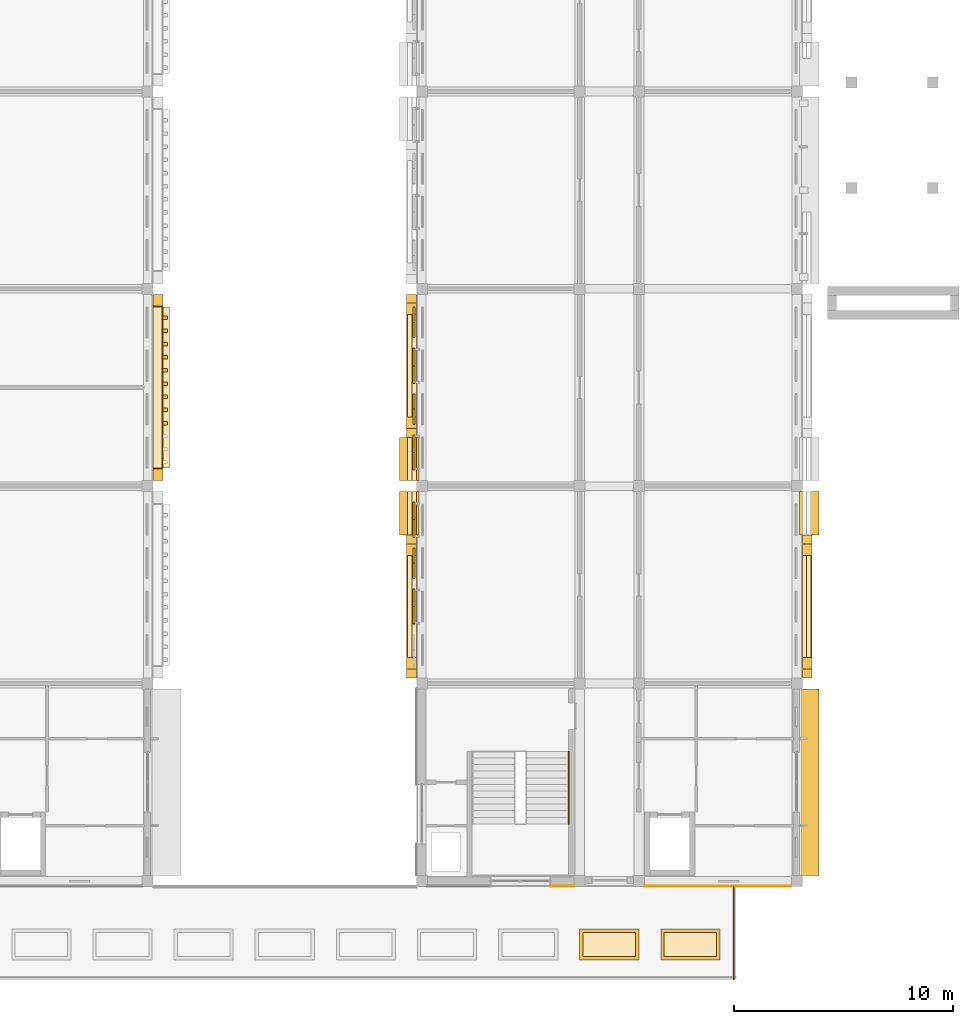
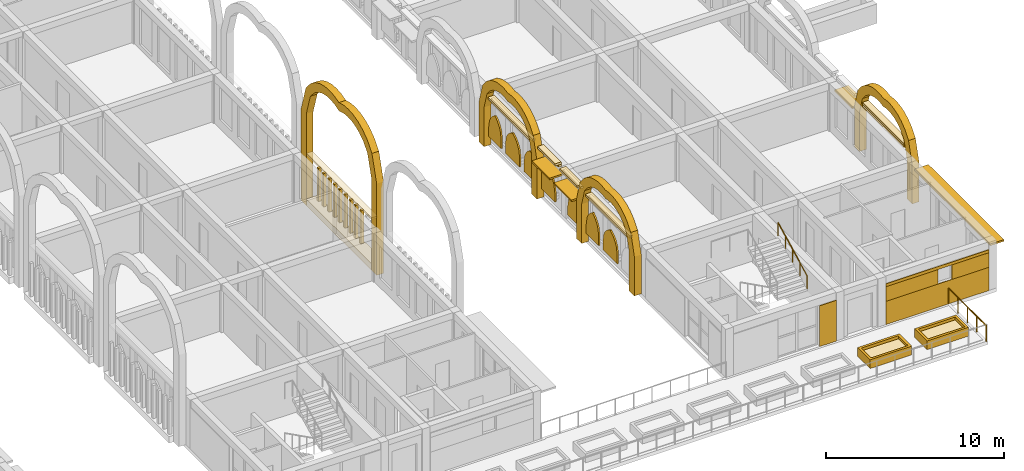
# One storey, part 80 of 82: 34 coverings, 11 shading devices, 2 railings.
"""IFC4 building model written with IfcOpenShell, lengths in metres."""

from ifc_helpers import new_model, si_unit, direction, frame, origin, origin_2d, place, context, subcontext, project, spatial, polyline, rectangle, circle, outline, extrude, material, layer, layer_set, type_object, element, save


model = new_model("IFC4")

# Units and contexts
model_context = context("Model", 3, precision=1e-05, world=origin(), true_north=direction((0.0, 1.0)))
body_context = subcontext(model_context, "Body", "Model", "MODEL_VIEW")
ifc_project = project(units=[si_unit("LENGTHUNIT", "METRE"), si_unit("AREAUNIT", "SQUARE_METRE"), si_unit("VOLUMEUNIT", "CUBIC_METRE"), si_unit("PLANEANGLEUNIT", "RADIAN"), si_unit("MASSUNIT", "GRAM", prefix="KILO")], contexts=[model_context])

# Site, building, storey
site_placement = place(None, origin())
site = spatial("IfcSite", under=ifc_project, at=site_placement, CompositionType="ELEMENT")
building_placement = place(site_placement, origin())
building = spatial("IfcBuilding", under=site, at=building_placement, Name="Elbe Cascade School", CompositionType="ELEMENT")
storey_placement = place(building_placement, frame((0.0, 0.0, 4.5)))
storey = spatial("IfcBuildingStorey", under=building, at=storey_placement, Name="L01", CompositionType="ELEMENT", Elevation=4.5)

# Railing
ifc_material_1 = material(Name="Steel S355J2H, painted", Category="steel")
railing_type_1 = type_object("IfcRailingType", Name="Bar stair handrail 900", PredefinedType="HANDRAIL", material=ifc_material_1)
railing_1_placement = place(storey_placement, frame((164.5, 8.60009765625, 1.949951171875)))
element("IfcRailing", 1, at=railing_1_placement, inside=storey, type_object=railing_type_1, Name="Stair handrail D1.S", PredefinedType="HANDRAIL", context=body_context, shape_type="SweptSolid", body=[
    extrude(circle(Radius=0.02392578125, at=origin_2d()), frame((0.0, 0.0, 0.8759765625), z_axis=(0.0, 0.894400720042, 0.447266533499), x_axis=(-1.0, 0.0, 0.0)), (0.0, 0.0, 1.0), 3.689453125),
    extrude(circle(Radius=0.02099609375, at=origin_2d()), origin(), (0.0, 0.0, 1.0), 0.851806640625),
    extrude(circle(Radius=0.02099609375, at=origin_2d()), frame((0.0, 0.824951171875, 0.41259765625)), (0.0, 0.0, 1.0), 0.851806640625),
    extrude(circle(Radius=0.02099609375, at=origin_2d()), frame((0.0, 1.64990234375, 0.8251953125)), (0.0, 0.0, 1.0), 0.851806640625),
    extrude(circle(Radius=0.02099609375, at=origin_2d()), frame((0.0, 2.474853515625, 1.237548828125)), (0.0, 0.0, 1.0), 0.851806640625),
    extrude(circle(Radius=0.02099609375, at=origin_2d()), frame((0.0, 3.2998046875, 1.650146484375)), (0.0, 0.0, 1.0), 0.851806640625),
])

# Shading devices
ifc_material_2 = material(Name="Precast concrete C30/37", Category="concrete")
ifc_layer_1 = layer(ifc_material_2, 0.1201171875)
ifc_layer_set_1 = layer_set([ifc_layer_1], Name="Precast concrete C30/37")
shading_device_type_1 = type_object("IfcShadingDeviceType", Name="Bars envelope Chhajja eave, precast concrete, 900 x 120", PredefinedType="USERDEFINED", material=ifc_layer_set_1)
for number, where, z_axis, x_axis, name in (
    (2, (157.22998046875, 22.760009765625, 2.6298828125), (0.0, 0.0, 1.0), (0.0, 1.0, 0.0), "Chhajja eave SD2 D.L01.w2b"),
    (3, (157.22998046875, 25.239990234375, 2.6298828125), (0.0, 0.0, 1.0), (0.0, 1.0, 0.0), "Chhajja eave SD2 D.L01.w3a"),
):
    element("IfcShadingDevice", number, at=place(storey_placement, frame(where, z_axis=z_axis, x_axis=x_axis)), inside=storey, type_object=shading_device_type_1, Name=name, ObjectType="CHHAJJA", PredefinedType="USERDEFINED", context=body_context, shape_type="SweptSolid", body=[
        extrude(rectangle(XDim=1.97998046875, YDim=0.89990234375, at=origin_2d()), origin(), (0.0, 0.0, 1.0), 0.1201171875),
    ])
shading_device_1_placement = place(storey_placement, frame((175.469970703125, 10.5, 2.6298828125), z_axis=(0.0, 0.0, 1.0), x_axis=(0.0, 1.0, 0.0)))
element("IfcShadingDevice", 4, at=shading_device_1_placement, inside=storey, type_object=shading_device_type_1, Name="Chhajja eave SD2 D.L01.e1", ObjectType="CHHAJJA", PredefinedType="USERDEFINED", context=body_context, shape_type="SweptSolid", body=[
    extrude(rectangle(XDim=8.5, YDim=0.89990234375, at=origin_2d()), origin(), (0.0, 0.0, 1.0), 0.1201171875),
])
shading_device_2_placement = place(storey_placement, frame((175.469970703125, 22.760009765625, 2.6298828125), z_axis=(0.0, 0.0, 1.0), x_axis=(0.0, 1.0, 0.0)))
element("IfcShadingDevice", 5, at=shading_device_2_placement, inside=storey, type_object=shading_device_type_1, Name="Chhajja eave SD2 D.L01.e2b", ObjectType="CHHAJJA", PredefinedType="USERDEFINED", context=body_context, shape_type="SweptSolid", body=[
    extrude(rectangle(XDim=1.97998046875, YDim=0.89990234375, at=origin_2d()), origin(), (0.0, 0.0, 1.0), 0.1201171875),
])
ifc_material_3 = material(Name="Precast concrete C40/50", Category="concrete")
ifc_layer_2 = layer(ifc_material_3, 0.10009765625)
ifc_layer_set_2 = layer_set([ifc_layer_2], Name="Precast concrete C40/50")
shading_device_type_2 = type_object("IfcShadingDeviceType", Name="Bars envelope Jali screen 1400 x 1840, pointed arch rise 1200, pierced precast concrete", PredefinedType="USERDEFINED", material=ifc_layer_set_2)
for number, where, z_axis, x_axis, name in (
    (6, (157.39990234375, 19.7900390625, 1.239990234375), (-1.0, 0.0, 0.0), (0.0, 0.17792317593, 0.984044380842), "Jali screen SD6 D.L01.w2.3"),
    (7, (157.39990234375, 26.81005859375, 1.239990234375), (-1.0, 0.0, 0.0), (0.0, 0.17792317593, 0.984044380842), "Jali screen SD6 D.L01.w3.2"),
):
    element("IfcShadingDevice", number, at=place(storey_placement, frame(where, z_axis=z_axis, x_axis=x_axis)), inside=storey, type_object=shading_device_type_2, Name=name, ObjectType="JALI", PredefinedType="USERDEFINED", context=body_context, shape_type="SweptSolid", body=[
        extrude(outline(polyline([(0.0, 0.0), (0.49123641871346896, 0.0), (0.6925403070313034, 0.052670243586035656), (0.8431090177286255, 0.11426571806572286), (0.9655690388364628, 0.18094347076411482), (1.0690931266165173, 0.25129309242718334), (1.1586395539315395, 0.3239218888517511), (1.2366976494339414, 0.39887596770441547), (1.305342743464475, 0.47528389408648153), (1.2677994546013998, 0.5708915381836547), (1.2209300408172035, 0.6684335202305626), (1.1624854186696398, 0.7678202942852341), (1.0901500126077905, 0.8699667335217378), (0.9987917966674117, 0.9753045513025852), (0.879324891137548, 1.0857246473021371), (0.7092096845379191, 1.2055504646156736), (0.24907507099190854, 1.377566035094913), (-0.38060762485458033, 1.491417754848975), (-0.6296826958464888, 0.11385171975406214), (0.0, 0.0)])), origin(), (0.0, 0.0, -1.0), 0.10009765625),
    ])
shading_device_3_placement = place(storey_placement, frame((157.39990234375, 30.77001953125, 1.239990234375), z_axis=(-1.0, 0.0, 0.0), x_axis=(0.0, 0.17792317593, 0.984044380842)))
element("IfcShadingDevice", 8, at=shading_device_3_placement, inside=storey, type_object=shading_device_type_2, Name="Jali screen SD6 D.L01.w3.4", ObjectType="JALI", PredefinedType="USERDEFINED", context=body_context, shape_type="SweptSolid", body=[
    extrude(outline(polyline([(0.0, 0.0), (0.49123641871346896, 0.0), (0.6925403070313034, 0.052670243586035656), (0.8431090177286255, 0.11426571806572286), (0.9656124771118364, 0.18118371597428135), (1.0690931266165173, 0.25129309242718334), (1.1586395539315395, 0.3239218888517511), (1.2366976494339414, 0.39887596770441547), (1.305342743464475, 0.47528389408648153), (1.2678428928767733, 0.5711317833938212), (1.2209300408172035, 0.6684335202305626), (1.1624854186696398, 0.7678202942852341), (1.0901500126077905, 0.8699667335217378), (0.9987917966674117, 0.9753045513025852), (0.8793683294129215, 1.0859648925123038), (0.7092096845379191, 1.2055504646156736), (0.24907507099190854, 1.377566035094913), (-0.38060762485458033, 1.491417754848975), (-0.6296826958464888, 0.11385171975406214), (0.0, 0.0)])), origin(), (0.0, 0.0, -1.0), 0.10009765625),
])
ifc_material_4 = material(Name="Precast concrete C40/50", Category="concrete")
ifc_layer_3 = layer(ifc_material_4, 0.10009765625)
ifc_layer_set_3 = layer_set([ifc_layer_3], Name="Precast concrete C40/50")
shading_device_type_3 = type_object("IfcShadingDeviceType", Name="Bars envelope Jali screen 1600 x 1840, pointed arch rise 1200, pierced precast concrete", PredefinedType="USERDEFINED", material=ifc_layer_set_3)
shading_device_4_placement = place(storey_placement, frame((157.39990234375, 17.7099609375, 1.239990234375), z_axis=(-1.0, 0.0, 0.0), x_axis=(0.0, 0.196300278283, 0.98054382908)))
element("IfcShadingDevice", 9, at=shading_device_4_placement, inside=storey, type_object=shading_device_type_3, Name="Jali screen SD7 D.L01.w2.2", ObjectType="JALI", PredefinedType="USERDEFINED", context=body_context, shape_type="SweptSolid", body=[
    extrude(outline(polyline([(0.0, 0.0), (0.509921112317134, 0.0), (0.7186409460062186, 0.06005009918221829), (0.8735458233318658, 0.1311226852889124), (0.9982874871653163, 0.20823380534668107), (1.102872417131342, 0.2891312241218946), (1.1919448840573539, 0.37338315020117196), (1.268281725197354, 0.45993570394643946), (1.3336545243794973, 0.5489321924158467), (1.3075801207519657, 0.6562359822289878), (1.270445825421322, 0.7655049255997259), (1.220671754049922, 0.877553277802997), (1.155289369893253, 0.9924773561437888), (1.069846101614414, 1.1116665143685687), (0.9542396198433787, 1.2368942065444228), (0.7847223319636507, 1.37266560447821), (0.31409961520112845, 1.5689658827607584), (-0.3133431035532121, 1.6945769739176333), (-0.6274427187543405, 0.12561109115687483), (0.0, 0.0)])), origin(), (0.0, 0.0, -1.0), 0.10009765625),
])
shading_device_5_placement = place(storey_placement, frame((157.39990234375, 21.669921875, 1.239990234375), z_axis=(-1.0, 0.0, 0.0), x_axis=(0.0, 0.196300278283, 0.98054382908)))
element("IfcShadingDevice", 10, at=shading_device_5_placement, inside=storey, type_object=shading_device_type_3, Name="Jali screen SD7 D.L01.w2.4", ObjectType="JALI", PredefinedType="USERDEFINED", context=body_context, shape_type="SweptSolid", body=[
    extrude(outline(polyline([(0.0, 0.0), (0.509921112317134, 0.0), (0.7186888708788461, 0.0602894897654897), (0.8735458233318658, 0.1311226852889124), (0.9982874871653163, 0.20823380534668107), (1.102872417131342, 0.2891312241218946), (1.1919448840573539, 0.37338315020117196), (1.2683296500699814, 0.46017509452971084), (1.3336545243794973, 0.5489321924158467), (1.3075801207519657, 0.6562359822289878), (1.270445825421322, 0.7655049255997259), (1.220671754049922, 0.877553277802997), (1.1553372947658807, 0.9927167467270602), (1.069846101614414, 1.1116665143685687), (0.9542396198433787, 1.2368942065444228), (0.7847223319636507, 1.37266560447821), (0.31409961520112845, 1.5689658827607584), (-0.3133431035532121, 1.6945769739176333), (-0.6274427187543405, 0.12561109115687483), (0.0, 0.0)])), origin(), (0.0, 0.0, -1.0), 0.10009765625),
])
shading_device_6_placement = place(storey_placement, frame((157.39990234375, 24.72998046875, 1.239990234375), z_axis=(-1.0, 0.0, 0.0), x_axis=(0.0, 0.196300278283, 0.98054382908)))
element("IfcShadingDevice", 11, at=shading_device_6_placement, inside=storey, type_object=shading_device_type_3, Name="Jali screen SD7 D.L01.w3.1", ObjectType="JALI", PredefinedType="USERDEFINED", context=body_context, shape_type="SweptSolid", body=[
    extrude(outline(polyline([(0.0, 0.0), (0.509921112317134, 0.0), (0.7186409460062186, 0.06005009918221829), (0.8735458233318658, 0.1311226852889124), (0.9982395622926888, 0.20799441476340969), (1.102872417131342, 0.2891312241218946), (1.1919448840573539, 0.37338315020117196), (1.268281725197354, 0.45993570394643946), (1.3336545243794973, 0.5489321924158467), (1.3075321958793382, 0.6559965916457164), (1.270445825421322, 0.7655049255997259), (1.220671754049922, 0.877553277802997), (1.155289369893253, 0.9924773561437888), (1.069846101614414, 1.1116665143685687), (0.9541916949707512, 1.2366548159611515), (0.7847223319636507, 1.37266560447821), (0.31409961520112845, 1.5689658827607584), (-0.3133431035532121, 1.6945769739176333), (-0.6274427187543405, 0.12561109115687483), (0.0, 0.0)])), origin(), (0.0, 0.0, -1.0), 0.10009765625),
])
shading_device_7_placement = place(storey_placement, frame((157.39990234375, 28.68994140625, 1.239990234375), z_axis=(-1.0, 0.0, 0.0), x_axis=(0.0, 0.196300278283, 0.98054382908)))
element("IfcShadingDevice", 12, at=shading_device_7_placement, inside=storey, type_object=shading_device_type_3, Name="Jali screen SD7 D.L01.w3.3", ObjectType="JALI", PredefinedType="USERDEFINED", context=body_context, shape_type="SweptSolid", body=[
    extrude(outline(polyline([(0.0, 0.0), (0.509921112317134, 0.0), (0.7186409460062186, 0.06005009918221829), (0.8735458233318658, 0.1311226852889124), (0.9982874871653163, 0.20823380534668107), (1.102872417131342, 0.2891312241218946), (1.1919448840573539, 0.37338315020117196), (1.268281725197354, 0.45993570394643946), (1.3336545243794973, 0.5489321924158467), (1.3075801207519657, 0.6562359822289878), (1.270445825421322, 0.7655049255997259), (1.220671754049922, 0.877553277802997), (1.155289369893253, 0.9924773561437888), (1.069846101614414, 1.1116665143685687), (0.9542396198433787, 1.2368942065444228), (0.7847223319636507, 1.37266560447821), (0.31409961520112845, 1.5689658827607584), (-0.3133431035532121, 1.6945769739176333), (-0.6274427187543405, 0.12561109115687483), (0.0, 0.0)])), origin(), (0.0, 0.0, -1.0), 0.10009765625),
])

# Coverings
ifc_material_5 = material(Name="Sandstone - red", Category="masonry")
covering_type_1 = type_object("IfcCoveringType", Name="Bars envelope Sandstone arch frame single, 8500 wide, 450 deep", PredefinedType="CLADDING", material=ifc_material_5)
covering_1_placement = place(storey_placement, frame((146.0, 24.830078125, 0.0), z_axis=(1.0, 0.0, 0.0), x_axis=(0.0, 0.0, 1.0)))
element("IfcCovering", 13, at=covering_1_placement, inside=storey, type_object=covering_type_1, Name="Arch frame CV52 C.L01.e3", PredefinedType="CLADDING", context=body_context, shape_type="SweptSolid", body=[
    extrude(outline(polyline([(0.0, 0.0), (6.300048828125, 0.0), (7.784912109375, -0.458740234375), (8.29736328125, -0.91748046875), (8.613525390625, -1.376220703125), (8.80908203125, -1.8349609375), (8.910888671875, -2.293701171875), (8.93017578125, -2.75244140625), (8.86865234375, -3.211181640625), (8.719970703125, -3.669921875), (8.86865234375, -4.128662109375), (8.93017578125, -4.58740234375), (8.910888671875, -5.046142578125), (8.80908203125, -5.5048828125), (8.613525390625, -5.963623046875), (8.29736328125, -6.42236328125), (7.784912109375, -6.881103515625), (6.300048828125, -7.33984375), (0.0, -7.33984375), (0.0, -7.919921875), (6.300048828125, -7.919921875), (8.060791015625, -7.388671875), (8.67431640625, -6.857421875), (9.058349609375, -6.326171875), (9.302490234375, -5.794921875), (9.439697265625, -5.263671875), (9.48388671875, -4.732421875), (9.438720703125, -4.201171875), (9.300048828125, -3.669921875), (9.438720703125, -3.138671875), (9.48388671875, -2.607421875), (9.439697265625, -2.076171875), (9.302490234375, -1.544921875), (9.058349609375, -1.013671875), (8.67431640625, -0.482421875), (8.060791015625, 0.048828125), (6.300048828125, 0.580078125), (0.0, 0.580078125), (0.0, 0.0)])), origin(), (0.0, 0.0, -1.0), 0.449951171875),
])
ifc_material_6 = material(Name="Sandstone - red", Category="masonry")
covering_type_2 = type_object("IfcCoveringType", Name="Bars envelope Sandstone arch frame triple, 6520 wide, 450 deep", PredefinedType="CLADDING", material=ifc_material_6)
covering_2_placement = place(storey_placement, frame((157.10009765625, 15.25, 0.0), z_axis=(-1.0, 0.0, 0.0), x_axis=(0.0, 0.0, 1.0)))
element("IfcCovering", 14, at=covering_2_placement, inside=storey, type_object=covering_type_2, Name="Arch frame CV70 D.L01.w2", PredefinedType="CLADDING", context=body_context, shape_type="SweptSolid", body=[
    extrude(outline(polyline([(0.0, 0.0), (2.699951171875, 0.0), (4.11669921875, 0.407470703125), (4.618896484375, 0.81494140625), (4.94189453125, 1.222412109375), (5.156982421875, 1.6298828125), (5.29150390625, 2.03759765625), (5.357666015625, 2.445068359375), (5.3603515625, 2.8525390625), (5.300048828125, 3.260009765625), (5.3603515625, 3.66748046875), (5.357666015625, 4.074951171875), (5.29150390625, 4.482421875), (5.156982421875, 4.889892578125), (4.94189453125, 5.297607421875), (4.618896484375, 5.705078125), (4.11669921875, 6.112548828125), (2.699951171875, 6.52001953125), (0.0, 6.52001953125), (0.0, 5.93994140625), (2.699951171875, 5.93994140625), (3.83837890625, 5.60498046875), (4.23828125, 5.27001953125), (4.49267578125, 4.93505859375), (4.658447265625, 4.60009765625), (4.757568359375, 4.264892578125), (4.79931640625, 3.929931640625), (4.787109375, 3.594970703125), (4.719970703125, 3.260009765625), (4.787109375, 2.925048828125), (4.79931640625, 2.590087890625), (4.757568359375, 2.2548828125), (4.658447265625, 1.919921875), (4.49267578125, 1.5849609375), (4.23828125, 1.25), (3.83837890625, 0.9150390625), (2.699951171875, 0.580078125), (0.0, 0.580078125), (0.0, 0.0)])), origin(), (0.0, 0.0, -1.0), 0.449951171875),
])
covering_3_placement = place(storey_placement, frame((157.10009765625, 26.22998046875, 0.0), z_axis=(-1.0, 0.0, 0.0), x_axis=(0.0, 0.0, 1.0)))
element("IfcCovering", 15, at=covering_3_placement, inside=storey, type_object=covering_type_2, Name="Arch frame CV70 D.L01.w3", PredefinedType="CLADDING", context=body_context, shape_type="SweptSolid", body=[
    extrude(outline(polyline([(0.0, 0.0), (2.699951171875, 0.0), (4.11669921875, 0.407470703125), (4.618896484375, 0.81494140625), (4.94189453125, 1.222412109375), (5.156982421875, 1.630126953125), (5.29150390625, 2.03759765625), (5.357666015625, 2.445068359375), (5.3603515625, 2.8525390625), (5.300048828125, 3.260009765625), (5.3603515625, 3.66748046875), (5.357666015625, 4.074951171875), (5.29150390625, 4.482421875), (5.156982421875, 4.89013671875), (4.94189453125, 5.297607421875), (4.618896484375, 5.705078125), (4.11669921875, 6.112548828125), (2.699951171875, 6.52001953125), (0.0, 6.52001953125), (0.0, 5.93994140625), (2.699951171875, 5.93994140625), (3.83837890625, 5.60498046875), (4.23828125, 5.27001953125), (4.49267578125, 4.93505859375), (4.658447265625, 4.60009765625), (4.757568359375, 4.26513671875), (4.79931640625, 3.929931640625), (4.787109375, 3.594970703125), (4.719970703125, 3.260009765625), (4.787109375, 2.925048828125), (4.79931640625, 2.590087890625), (4.757568359375, 2.255126953125), (4.658447265625, 1.919921875), (4.49267578125, 1.5849609375), (4.23828125, 1.25), (3.83837890625, 0.9150390625), (2.699951171875, 0.580078125), (0.0, 0.580078125), (0.0, 0.0)])), origin(), (0.0, 0.0, -1.0), 0.449951171875),
])
covering_4_placement = place(storey_placement, frame((175.60009765625, 15.830078125, 0.0), z_axis=(1.0, 0.0, 0.0), x_axis=(0.0, 0.0, 1.0)))
element("IfcCovering", 16, at=covering_4_placement, inside=storey, type_object=covering_type_2, Name="Arch frame CV70 D.L01.e2", PredefinedType="CLADDING", context=body_context, shape_type="SweptSolid", body=[
    extrude(outline(polyline([(0.0, 0.0), (2.699951171875, 0.0), (3.83837890625, -0.3349609375), (4.23828125, -0.669921875), (4.49267578125, -1.0048828125), (4.658447265625, -1.33984375), (4.757568359375, -1.6748046875), (4.79931640625, -2.010009765625), (4.787109375, -2.344970703125), (4.719970703125, -2.679931640625), (4.787109375, -3.014892578125), (4.79931640625, -3.349853515625), (4.757568359375, -3.684814453125), (4.658447265625, -4.02001953125), (4.49267578125, -4.35498046875), (4.23828125, -4.68994140625), (3.83837890625, -5.02490234375), (2.699951171875, -5.35986328125), (0.0, -5.35986328125), (0.0, -5.93994140625), (2.699951171875, -5.93994140625), (4.11669921875, -5.532470703125), (4.618896484375, -5.125), (4.94189453125, -4.717529296875), (5.156982421875, -4.309814453125), (5.29150390625, -3.90234375), (5.357666015625, -3.494873046875), (5.3603515625, -3.08740234375), (5.300048828125, -2.679931640625), (5.3603515625, -2.2724609375), (5.357666015625, -1.864990234375), (5.29150390625, -1.45751953125), (5.156982421875, -1.0498046875), (4.94189453125, -0.642333984375), (4.618896484375, -0.23486328125), (4.11669921875, 0.172607421875), (2.699951171875, 0.580078125), (0.0, 0.580078125), (0.0, 0.0)])), origin(), (0.0, 0.0, -1.0), 0.449951171875),
])
ifc_material_7 = material(Name="Sandstone - red", Category="masonry")
ifc_layer_4 = layer(ifc_material_7, 0.0400390625)
ifc_layer_set_4 = layer_set([ifc_layer_4], Name="Sandstone - red")
covering_type_3 = type_object("IfcCoveringType", Name="Bars envelope Sandstone cladding, red, 40 mm", PredefinedType="CLADDING", material=ifc_layer_set_4)
covering_5_placement = place(storey_placement, frame((164.199951171875, 5.760009765625, 0.0), z_axis=(0.0, 0.0, 1.0), x_axis=(1.0, 0.0, 0.0)))
element("IfcCovering", 17, at=covering_5_placement, inside=storey, type_object=covering_type_3, Name="Sandstone cladding CV48 D.L01.s.1b.1", PredefinedType="CLADDING", context=body_context, shape_type="SweptSolid", body=[
    extrude(rectangle(XDim=1.10009765625, YDim=0.0400390625, at=origin_2d()), origin(), (0.0, 0.0, 1.0), 2.800048828125),
])
covering_6_placement = place(storey_placement, frame((171.300048828125, 5.760009765625, 0.0), z_axis=(0.0, 0.0, 1.0), x_axis=(1.0, 0.0, 0.0)))
element("IfcCovering", 18, at=covering_6_placement, inside=storey, type_object=covering_type_3, Name="Sandstone cladding CV48 D.L01.s.3.1", PredefinedType="CLADDING", context=body_context, shape_type="SweptSolid", body=[
    extrude(rectangle(XDim=6.699951171875, YDim=0.0400390625, at=origin_2d()), origin(), (0.0, 0.0, 1.0), 1.60009765625),
])
covering_7_placement = place(storey_placement, frame((169.64990234375, 5.760009765625, 1.60009765625), z_axis=(0.0, 0.0, 1.0), x_axis=(1.0, 0.0, 0.0)))
element("IfcCovering", 19, at=covering_7_placement, inside=storey, type_object=covering_type_3, Name="Sandstone cladding CV48 D.L01.s.3.2", PredefinedType="CLADDING", context=body_context, shape_type="SweptSolid", body=[
    extrude(rectangle(XDim=3.39990234375, YDim=0.0400390625, at=origin_2d()), origin(), (0.0, 0.0, 1.0), 1.0),
])
covering_8_placement = place(storey_placement, frame((173.449951171875, 5.760009765625, 1.60009765625), z_axis=(0.0, 0.0, 1.0), x_axis=(1.0, 0.0, 0.0)))
element("IfcCovering", 20, at=covering_8_placement, inside=storey, type_object=covering_type_3, Name="Sandstone cladding CV48 D.L01.s.3.3", PredefinedType="CLADDING", context=body_context, shape_type="SweptSolid", body=[
    extrude(rectangle(XDim=2.39990234375, YDim=0.0400390625, at=origin_2d()), origin(), (0.0, 0.0, 1.0), 1.0),
])
covering_9_placement = place(storey_placement, frame((171.300048828125, 5.760009765625, 2.60009765625), z_axis=(0.0, 0.0, 1.0), x_axis=(1.0, 0.0, 0.0)))
element("IfcCovering", 21, at=covering_9_placement, inside=storey, type_object=covering_type_3, Name="Sandstone cladding CV48 D.L01.s.3.4", PredefinedType="CLADDING", context=body_context, shape_type="SweptSolid", body=[
    extrude(rectangle(XDim=6.699951171875, YDim=0.0400390625, at=origin_2d()), origin(), (0.0, 0.0, 1.0), 0.199951171875),
])
ifc_material_8 = material(Name="Sandstone - red", Category="masonry")
covering_type_4 = type_object("IfcCoveringType", Name="Bars envelope Sandstone cornice lower step, 200 deep", PredefinedType="CLADDING", material=ifc_material_8)
covering_10_placement = place(storey_placement, frame((157.449951171875, 18.510009765625, 3.300048828125), z_axis=(0.0, 0.0, 1.0), x_axis=(0.0, 1.0, 0.0)))
element("IfcCovering", 22, at=covering_10_placement, inside=storey, type_object=covering_type_4, Name="Cornice CV71 D.L01.w1.1a", PredefinedType="CLADDING", context=body_context, shape_type="SweptSolid", body=[
    extrude(rectangle(XDim=4.659912109375, YDim=0.199951171875, at=origin_2d()), origin(), (0.0, 0.0, 1.0), 0.14990234375),
])
for number, where, z_axis, x_axis, name in (
    (23, (157.449951171875, 22.760009765625, 3.300048828125), (0.0, 0.0, 1.0), (0.0, 1.0, 0.0), "Cornice CV71 D.L01.w1.2a"),
    (24, (157.449951171875, 25.239990234375, 3.300048828125), (0.0, 0.0, 1.0), (0.0, 1.0, 0.0), "Cornice CV71 D.L01.w2.1a"),
):
    element("IfcCovering", number, at=place(storey_placement, frame(where, z_axis=z_axis, x_axis=x_axis)), inside=storey, type_object=covering_type_4, Name=name, PredefinedType="CLADDING", context=body_context, shape_type="SweptSolid", body=[
        extrude(rectangle(XDim=1.97998046875, YDim=0.199951171875, at=origin_2d()), origin(), (0.0, 0.0, 1.0), 0.14990234375),
    ])
for number, where, z_axis, x_axis, name in (
    (25, (157.449951171875, 29.489990234375, 3.300048828125), (0.0, 0.0, 1.0), (0.0, 1.0, 0.0), "Cornice CV71 D.L01.w2.2a"),
    (26, (175.25, 18.510009765625, 3.300048828125), (0.0, 0.0, 1.0), (0.0, 1.0, 0.0), "Cornice CV71 D.L01.e1.1a"),
):
    element("IfcCovering", number, at=place(storey_placement, frame(where, z_axis=z_axis, x_axis=x_axis)), inside=storey, type_object=covering_type_4, Name=name, PredefinedType="CLADDING", context=body_context, shape_type="SweptSolid", body=[
        extrude(rectangle(XDim=4.659912109375, YDim=0.199951171875, at=origin_2d()), origin(), (0.0, 0.0, 1.0), 0.14990234375),
    ])
ifc_material_9 = material(Name="Sandstone - red", Category="masonry")
covering_type_5 = type_object("IfcCoveringType", Name="Bars envelope Sandstone cornice upper step, 400 deep", PredefinedType="CLADDING", material=ifc_material_9)
covering_11_placement = place(storey_placement, frame((157.35009765625, 18.510009765625, 3.449951171875), z_axis=(0.0, 0.0, 1.0), x_axis=(0.0, 1.0, 0.0)))
element("IfcCovering", 27, at=covering_11_placement, inside=storey, type_object=covering_type_5, Name="Cornice CV72 D.L01.w1.1b", PredefinedType="CLADDING", context=body_context, shape_type="SweptSolid", body=[
    extrude(rectangle(XDim=4.659912109375, YDim=0.39990234375, at=origin_2d()), origin(), (0.0, 0.0, 1.0), 0.14990234375),
])
for number, where, z_axis, x_axis, name in (
    (28, (157.35009765625, 22.760009765625, 3.449951171875), (0.0, 0.0, 1.0), (0.0, 1.0, 0.0), "Cornice CV72 D.L01.w1.2b"),
    (29, (157.35009765625, 25.239990234375, 3.449951171875), (0.0, 0.0, 1.0), (0.0, 1.0, 0.0), "Cornice CV72 D.L01.w2.1b"),
):
    element("IfcCovering", number, at=place(storey_placement, frame(where, z_axis=z_axis, x_axis=x_axis)), inside=storey, type_object=covering_type_5, Name=name, PredefinedType="CLADDING", context=body_context, shape_type="SweptSolid", body=[
        extrude(rectangle(XDim=1.97998046875, YDim=0.39990234375, at=origin_2d()), origin(), (0.0, 0.0, 1.0), 0.14990234375),
    ])
for number, where, z_axis, x_axis, name in (
    (30, (157.35009765625, 29.489990234375, 3.449951171875), (0.0, 0.0, 1.0), (0.0, 1.0, 0.0), "Cornice CV72 D.L01.w2.2b"),
    (31, (175.35009765625, 18.510009765625, 3.449951171875), (0.0, 0.0, 1.0), (0.0, 1.0, 0.0), "Cornice CV72 D.L01.e1.1b"),
):
    element("IfcCovering", number, at=place(storey_placement, frame(where, z_axis=z_axis, x_axis=x_axis)), inside=storey, type_object=covering_type_5, Name=name, PredefinedType="CLADDING", context=body_context, shape_type="SweptSolid", body=[
        extrude(rectangle(XDim=4.659912109375, YDim=0.39990234375, at=origin_2d()), origin(), (0.0, 0.0, 1.0), 0.14990234375),
    ])
ifc_material_10 = material(Name="Sandstone - red", Category="masonry")
covering_type_6 = type_object("IfcCoveringType", Name="Bars envelope Sandstone floor ledge, 400 deep", PredefinedType="CLADDING", material=ifc_material_10)
covering_12_placement = place(storey_placement, frame((145.75, 28.5, 3.4599609375), z_axis=(0.0, 0.0, 1.0), x_axis=(0.0, 1.0, 0.0)))
element("IfcCovering", 32, at=covering_12_placement, inside=storey, type_object=covering_type_6, Name="Floor ledge CV64 C.L01.e2.1", PredefinedType="CLADDING", context=body_context, shape_type="SweptSolid", body=[
    extrude(rectangle(XDim=7.340087890625, YDim=0.39990234375, at=origin_2d()), origin(), (0.0, 0.0, 1.0), 0.139892578125),
])
ifc_material_11 = material(Name="Sandstone - red", Category="masonry")
covering_type_7 = type_object("IfcCoveringType", Name="Bars envelope Sandstone planter kerb, 750 deep", PredefinedType="CLADDING", material=ifc_material_11)
covering_13_placement = place(storey_placement, frame((145.925048828125, 28.5, 0.0), z_axis=(0.0, 0.0, 1.0), x_axis=(0.0, 1.0, 0.0)))
element("IfcCovering", 33, at=covering_13_placement, inside=storey, type_object=covering_type_7, Name="Planter kerb CV65 C.L01.e2.1", PredefinedType="CLADDING", context=body_context, shape_type="SweptSolid", body=[
    extrude(rectangle(XDim=7.340087890625, YDim=0.75, at=origin_2d()), origin(), (0.0, 0.0, 1.0), 0.449951171875),
])
ifc_material_12 = material(Name="Sandstone - red", Category="masonry")
covering_type_8 = type_object("IfcCoveringType", Name="Bars envelope Sandstone slat, 160 wide, 200 deep", PredefinedType="CLADDING", material=ifc_material_12)
for number, where, z_axis, x_axis, name in (
    (34, (146.10009765625, 26.8798828125, 0.4501953125), (0.0, 0.0, 1.0), (0.0, 1.0, 0.0), "Slat CV66 C.L01.e2.1.4"),
    (35, (146.10009765625, 27.47998046875, 0.4501953125), (0.0, 0.0, 1.0), (0.0, 1.0, 0.0), "Slat CV66 C.L01.e2.1.5"),
    (36, (146.10009765625, 28.080078125, 0.4501953125), (0.0, 0.0, 1.0), (0.0, 1.0, 0.0), "Slat CV66 C.L01.e2.1.6"),
    (37, (146.10009765625, 28.679931640625, 0.4501953125), (0.0, 0.0, 1.0), (0.0, 1.0, 0.0), "Slat CV66 C.L01.e2.1.7"),
    (38, (146.10009765625, 29.280029296875, 0.4501953125), (0.0, 0.0, 1.0), (0.0, 1.0, 0.0), "Slat CV66 C.L01.e2.1.8"),
    (39, (146.10009765625, 29.8798828125, 0.4501953125), (0.0, 0.0, 1.0), (0.0, 1.0, 0.0), "Slat CV66 C.L01.e2.1.9"),
    (40, (146.10009765625, 30.47998046875, 0.4501953125), (0.0, 0.0, 1.0), (0.0, 1.0, 0.0), "Slat CV66 C.L01.e2.1.10"),
    (41, (146.10009765625, 31.080078125, 0.4501953125), (0.0, 0.0, 1.0), (0.0, 1.0, 0.0), "Slat CV66 C.L01.e2.1.11"),
    (42, (146.10009765625, 31.679931640625, 0.4501953125), (0.0, 0.0, 1.0), (0.0, 1.0, 0.0), "Slat CV66 C.L01.e2.1.12"),
):
    element("IfcCovering", number, at=place(storey_placement, frame(where, z_axis=z_axis, x_axis=x_axis)), inside=storey, type_object=covering_type_8, Name=name, PredefinedType="CLADDING", context=body_context, shape_type="SweptSolid", body=[
        extrude(rectangle(XDim=0.159912109375, YDim=0.199951171875, at=origin_2d()), origin(), (0.0, 0.0, 1.0), 2.280029296875),
    ])

# Railing
ifc_material_13 = material(Name="Steel S355J2H", Category="steel")
railing_type_2 = type_object("IfcRailingType", Name="Quay and steps guard 1100", PredefinedType="GUARDRAIL", material=ifc_material_13)
railing_2_placement = place(storey_placement, frame((172.02490234375, 5.75, 0.0)))
element("IfcRailing", 43, at=railing_2_placement, inside=storey, type_object=railing_type_2, Name="Colonnade roof guard 8", PredefinedType="GUARDRAIL", context=body_context, shape_type="SweptSolid", body=[
    extrude(circle(Radius=0.02392578125, at=origin_2d()), frame((0.0, 0.0, 1.076171875), z_axis=(0.0, -1.0, 0.0), x_axis=(1.0, 0.0, 0.0)), (0.0, 0.0, 1.0), 4.25),
    extrude(circle(Radius=0.02099609375, at=origin_2d()), origin(), (0.0, 0.0, 1.0), 1.052001953125),
    extrude(circle(Radius=0.02099609375, at=origin_2d()), frame((0.0, -1.0625, 0.0)), (0.0, 0.0, 1.0), 1.052001953125),
    extrude(circle(Radius=0.02099609375, at=origin_2d()), frame((0.0, -2.125, 0.0)), (0.0, 0.0, 1.0), 1.052001953125),
    extrude(circle(Radius=0.02099609375, at=origin_2d()), frame((0.0, -3.1875, 0.0)), (0.0, 0.0, 1.0), 1.052001953125),
    extrude(circle(Radius=0.02099609375, at=origin_2d()), frame((0.0, -4.25, 0.0)), (0.0, 0.0, 1.0), 1.052001953125),
])

# Coverings
ifc_material_14 = material(Name="Planting - soil and shrubs", Category="soil")
ifc_layer_5 = layer(ifc_material_14, 0.39990234375)
ifc_layer_set_5 = layer_set([ifc_layer_5], Name="Planting - soil and shrubs")
covering_type_9 = type_object("IfcCoveringType", Name="Site planting bed 400", PredefinedType="USERDEFINED", material=ifc_layer_set_5)
covering_14_placement = place(storey_placement, frame((0.0, 0.0, 0.0400390625)))
element("IfcCovering", 44, at=covering_14_placement, inside=storey, type_object=covering_type_9, Name="Colonnade roof planting bed 40", ObjectType="PLANTING BED", PredefinedType="USERDEFINED", context=body_context, shape_type="SweptSolid", body=[
    extrude(outline(polyline([(165.14990234375, 2.550048828125), (167.550048828125, 2.550048828125), (167.550048828125, 3.64990234375), (165.14990234375, 3.64990234375), (165.14990234375, 2.550048828125)])), origin(), (0.0, 0.0, 1.0), 0.39990234375),
])
covering_15_placement = place(storey_placement, frame((0.0, 0.0, 0.0400390625)))
element("IfcCovering", 45, at=covering_15_placement, inside=storey, type_object=covering_type_9, Name="Colonnade roof planting bed 41", ObjectType="PLANTING BED", PredefinedType="USERDEFINED", context=body_context, shape_type="SweptSolid", body=[
    extrude(outline(polyline([(168.85009765625, 2.550048828125), (171.25, 2.550048828125), (171.25, 3.64990234375), (168.85009765625, 3.64990234375), (168.85009765625, 2.550048828125)])), origin(), (0.0, 0.0, 1.0), 0.39990234375),
])
ifc_material_15 = material(Name="Concrete C30/37 precast kerb", Category="concrete")
ifc_layer_6 = layer(ifc_material_15, 0.14990234375)
ifc_layer_set_6 = layer_set([ifc_layer_6], Name="Concrete C30/37 precast kerb")
covering_type_10 = type_object("IfcCoveringType", Name="Site planting bed kerb 150x600", PredefinedType="CLADDING", material=ifc_layer_set_6)
covering_16_placement = place(storey_placement, frame((0.0, 0.0, 0.0400390625)))
element("IfcCovering", 46, at=covering_16_placement, inside=storey, type_object=covering_type_10, Name="Colonnade roof planting bed kerb 40", PredefinedType="CLADDING", context=body_context, shape_type="SweptSolid", body=[
    extrude(outline(polyline([(165.0, 2.39990234375), (167.699951171875, 2.39990234375), (167.699951171875, 3.800048828125), (165.0, 3.800048828125), (165.0, 2.39990234375)]), holes=[polyline([(165.14990234375, 2.550048828125), (167.550048828125, 2.550048828125), (167.550048828125, 3.64990234375), (165.14990234375, 3.64990234375), (165.14990234375, 2.550048828125)])]), origin(), (0.0, 0.0, 1.0), 0.599853515625),
])
covering_17_placement = place(storey_placement, frame((0.0, 0.0, 0.0400390625)))
element("IfcCovering", 47, at=covering_17_placement, inside=storey, type_object=covering_type_10, Name="Colonnade roof planting bed kerb 41", PredefinedType="CLADDING", context=body_context, shape_type="SweptSolid", body=[
    extrude(outline(polyline([(168.699951171875, 2.39990234375), (171.39990234375, 2.39990234375), (171.39990234375, 3.800048828125), (168.699951171875, 3.800048828125), (168.699951171875, 2.39990234375)]), holes=[polyline([(168.85009765625, 2.550048828125), (171.25, 2.550048828125), (171.25, 3.64990234375), (168.85009765625, 3.64990234375), (168.85009765625, 2.550048828125)])]), origin(), (0.0, 0.0, 1.0), 0.599853515625),
])

save(model, "model.ifc")
